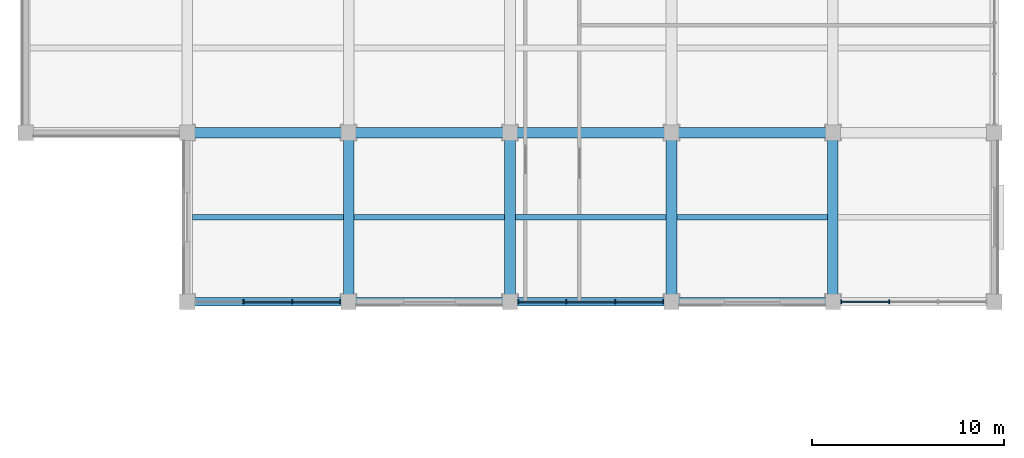
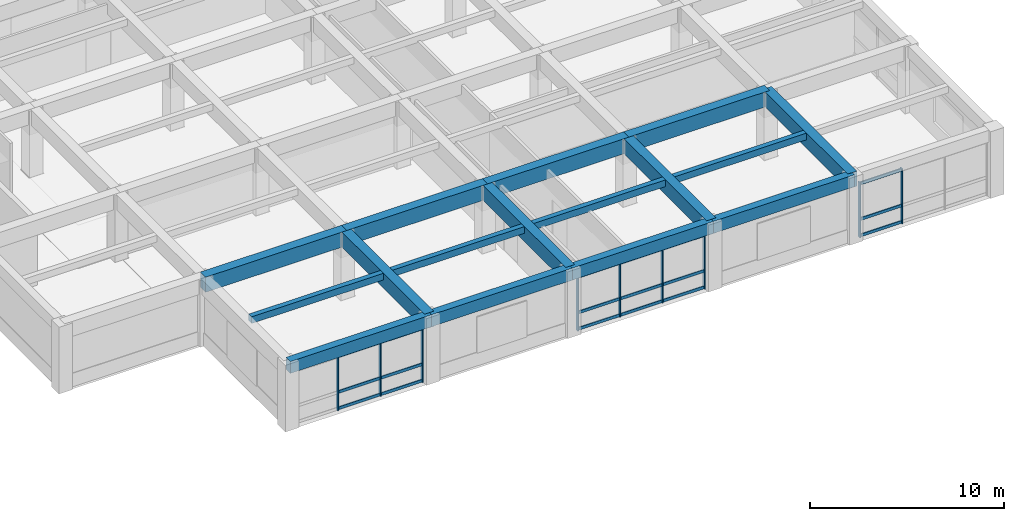
# One storey, part 19 of 46: 27 members, 16 beams, 3 elements without a shape of their own.
"""IFC4 building model written with IfcOpenShell, lengths in metres."""

from ifc_helpers import new_model, si_unit, direction, frame, origin, origin_2d, place, context, subcontext, project, spatial, rectangle, extrude, material, material_profile, profile_set, type_object, element, aggregate, save


model = new_model("IFC4")

# Units and contexts
model_context = context("Model", 3, precision=1e-05, world=origin(), true_north=direction((0.0, 1.0)))
body_context = subcontext(model_context, "Body", "Model", "MODEL_VIEW")
ifc_project = project(units=[si_unit("LENGTHUNIT", "METRE"), si_unit("AREAUNIT", "SQUARE_METRE"), si_unit("VOLUMEUNIT", "CUBIC_METRE"), si_unit("PLANEANGLEUNIT", "RADIAN"), si_unit("MASSUNIT", "GRAM", prefix="KILO")], contexts=[model_context])

# Site, building, storey
site_placement = place(None, origin())
site = spatial("IfcSite", under=ifc_project, at=site_placement, CompositionType="ELEMENT")
building_placement = place(site_placement, origin())
building = spatial("IfcBuilding", under=site, at=building_placement, Name="Kemercrest Conservatory and Botanical Centre", CompositionType="ELEMENT")
storey_placement = place(building_placement, frame((0.0, 0.0, 9.0)))
storey = spatial("IfcBuildingStorey", under=building, at=storey_placement, Name="L02", CompositionType="ELEMENT", Elevation=9.0)

# Beams
ifc_material_1 = material(Name="Concrete C50/60", Category="concrete")
ifc_material_profile_1 = material_profile(ifc_material_1, rectangle(XDim=0.550048828125, YDim=0.949951171875, at=origin_2d()), Name="RC 550x950")
ifc_profile_set_1 = profile_set([ifc_material_profile_1], Name="Concrete C50/60")
beam_type_1 = type_object("IfcBeamType", Name="BM-RC95", PredefinedType="BEAM", material=ifc_profile_set_1)
beam_1_placement = place(storey_placement, frame((134.0, 78.39990234375, 3.72509765625), z_axis=(1.0, 0.0, 0.0), x_axis=(0.0, 1.0, 0.0)))
element("IfcBeam", 1, at=beam_1_placement, inside=storey, type_object=beam_type_1, Name="V4-L03 beam BM-RC95 J/16-17", PredefinedType="BEAM", context=body_context, shape_type="SweptSolid", body=[
    extrude(rectangle(XDim=0.550048828125, YDim=0.949951171875, at=origin_2d()), origin(), (0.0, 0.0, 1.0), 8.39990234375),
])
beam_2_placement = place(storey_placement, frame((142.39990234375, 78.39990234375, 3.72509765625), z_axis=(1.0, 0.0, 0.0), x_axis=(0.0, 1.0, 0.0)))
element("IfcBeam", 2, at=beam_2_placement, inside=storey, type_object=beam_type_1, Name="V4-L03 beam BM-RC95 J/17-18", PredefinedType="BEAM", context=body_context, shape_type="SweptSolid", body=[
    extrude(rectangle(XDim=0.550048828125, YDim=0.949951171875, at=origin_2d()), origin(), (0.0, 0.0, 1.0), 8.400146484375),
])
beam_3_placement = place(storey_placement, frame((150.800048828125, 78.39990234375, 3.72509765625), z_axis=(1.0, 0.0, 0.0), x_axis=(0.0, 1.0, 0.0)))
element("IfcBeam", 3, at=beam_3_placement, inside=storey, type_object=beam_type_1, Name="V4-L03 beam BM-RC95 J/18-19", PredefinedType="BEAM", context=body_context, shape_type="SweptSolid", body=[
    extrude(rectangle(XDim=0.550048828125, YDim=0.949951171875, at=origin_2d()), origin(), (0.0, 0.0, 1.0), 8.39990234375),
])
beam_4_placement = place(storey_placement, frame((159.199951171875, 78.39990234375, 3.72509765625), z_axis=(1.0, 0.0, 0.0), x_axis=(0.0, 1.0, 0.0)))
element("IfcBeam", 4, at=beam_4_placement, inside=storey, type_object=beam_type_1, Name="V4-L03 beam BM-RC95 J/19-20", PredefinedType="BEAM", context=body_context, shape_type="SweptSolid", body=[
    extrude(rectangle(XDim=0.550048828125, YDim=0.949951171875, at=origin_2d()), origin(), (0.0, 0.0, 1.0), 8.400146484375),
])
for number, where, z_axis, x_axis, name in (
    (5, (142.39990234375, 69.60009765625, 3.72509765625), (0.0, 1.0, 0.0), (-1.0, 0.0, 0.0), "V4-L03 beam BM-RC95 17/H-J"),
    (6, (150.800048828125, 69.60009765625, 3.72509765625), (0.0, 1.0, 0.0), (-1.0, 0.0, 0.0), "V4-L03 beam BM-RC95 18/H-J"),
    (7, (159.199951171875, 69.60009765625, 3.72509765625), (0.0, 1.0, 0.0), (-1.0, 0.0, 0.0), "V4-L03 beam BM-RC95 19/H-J"),
    (8, (167.60009765625, 69.60009765625, 3.72509765625), (0.0, 1.0, 0.0), (-1.0, 0.0, 0.0), "V4-L03 beam BM-RC95 20/H-J"),
):
    element("IfcBeam", number, at=place(storey_placement, frame(where, z_axis=z_axis, x_axis=x_axis)), inside=storey, type_object=beam_type_1, Name=name, PredefinedType="BEAM", context=body_context, shape_type="SweptSolid", body=[
        extrude(rectangle(XDim=0.550048828125, YDim=0.949951171875, at=origin_2d()), origin(), (0.0, 0.0, 1.0), 8.7998046875),
    ])

# Curtain wall, members
ifc_material_2 = material(Name="Thermally broken aluminium and triple low-e glazing", Category="aluminium")
curtain_wall_type_1 = type_object("IfcCurtainWallType", Name="CW-26", PredefinedType="USERDEFINED", material=ifc_material_2)
curtain_wall_1_placement = place(storey_placement, origin())
curtain_wall_1 = element("IfcCurtainWall", 9, at=curtain_wall_1_placement, inside=storey, type_object=curtain_wall_type_1, Name="Unitised curtain wall CW-26 (CW:L02:V4-055)", ObjectType="UNITISED CURTAIN WALL", PredefinedType="USERDEFINED")
ifc_material_3 = material(Name="Thermally broken anodized aluminium 6063-T6", Category="aluminium")
ifc_material_profile_2 = material_profile(ifc_material_3, rectangle(XDim=0.199951171875, YDim=0.06494140625, at=origin_2d()), Name="AL MULLION 65x200")
ifc_profile_set_2 = profile_set([ifc_material_profile_2], Name="Thermally broken anodized aluminium 6063-T6")
member_type_1 = type_object("IfcMemberType", Name="CW-M200", PredefinedType="MULLION", material=ifc_profile_set_2)
member_1_placement = place(storey_placement, frame((136.931640625, 69.60009765625, 0.0), z_axis=(0.0, 0.0, 1.0), x_axis=(0.0, 1.0, 0.0)))
member_1 = element("IfcMember", 10, at=member_1_placement, type_object=member_type_1, Name="CW-26 mullion 2", PredefinedType="MULLION", context=body_context, shape_type="SweptSolid", body=[
    extrude(rectangle(XDim=0.199951171875, YDim=0.06494140625, at=origin_2d()), origin(), (0.0, 0.0, 1.0), 3.455078125),
])
member_2_placement = place(storey_placement, frame((139.46826171875, 69.60009765625, 0.0), z_axis=(0.0, 0.0, 1.0), x_axis=(0.0, 1.0, 0.0)))
member_2 = element("IfcMember", 11, at=member_2_placement, type_object=member_type_1, Name="CW-26 mullion 3", PredefinedType="MULLION", context=body_context, shape_type="SweptSolid", body=[
    extrude(rectangle(XDim=0.199951171875, YDim=0.06494140625, at=origin_2d()), origin(), (0.0, 0.0, 1.0), 3.455078125),
])
member_3_placement = place(storey_placement, frame((141.972412109375, 69.60009765625, 0.0), z_axis=(0.0, 0.0, 1.0), x_axis=(0.0, 1.0, 0.0)))
member_3 = element("IfcMember", 12, at=member_3_placement, type_object=member_type_1, Name="CW-26 mullion 4", PredefinedType="MULLION", context=body_context, shape_type="SweptSolid", body=[
    extrude(rectangle(XDim=0.199951171875, YDim=0.06494140625, at=origin_2d()), origin(), (0.0, 0.0, 1.0), 3.455078125),
])

curtain_wall_type_2 = type_object("IfcCurtainWallType", Name="CW-27", PredefinedType="USERDEFINED", material=ifc_material_2)
curtain_wall_2_placement = place(storey_placement, origin())
curtain_wall_2 = element("IfcCurtainWall", 13, at=curtain_wall_2_placement, inside=storey, type_object=curtain_wall_type_2, Name="Unitised curtain wall CW-27 (CW:L02:V4-056)", ObjectType="UNITISED CURTAIN WALL", PredefinedType="USERDEFINED")
member_4_placement = place(storey_placement, frame((151.2275390625, 69.60009765625, 0.0), z_axis=(0.0, 0.0, 1.0), x_axis=(0.0, 1.0, 0.0)))
member_4 = element("IfcMember", 14, at=member_4_placement, type_object=member_type_1, Name="CW-27 mullion 1", PredefinedType="MULLION", context=body_context, shape_type="SweptSolid", body=[
    extrude(rectangle(XDim=0.199951171875, YDim=0.06494140625, at=origin_2d()), origin(), (0.0, 0.0, 1.0), 3.455078125),
])
member_5_placement = place(storey_placement, frame((153.731689453125, 69.60009765625, 0.0), z_axis=(0.0, 0.0, 1.0), x_axis=(0.0, 1.0, 0.0)))
member_5 = element("IfcMember", 15, at=member_5_placement, type_object=member_type_1, Name="CW-27 mullion 2", PredefinedType="MULLION", context=body_context, shape_type="SweptSolid", body=[
    extrude(rectangle(XDim=0.199951171875, YDim=0.06494140625, at=origin_2d()), origin(), (0.0, 0.0, 1.0), 3.455078125),
])
member_6_placement = place(storey_placement, frame((156.268310546875, 69.60009765625, 0.0), z_axis=(0.0, 0.0, 1.0), x_axis=(0.0, 1.0, 0.0)))
member_6 = element("IfcMember", 16, at=member_6_placement, type_object=member_type_1, Name="CW-27 mullion 3", PredefinedType="MULLION", context=body_context, shape_type="SweptSolid", body=[
    extrude(rectangle(XDim=0.199951171875, YDim=0.06494140625, at=origin_2d()), origin(), (0.0, 0.0, 1.0), 3.455078125),
])
member_7_placement = place(storey_placement, frame((158.7724609375, 69.60009765625, 0.0), z_axis=(0.0, 0.0, 1.0), x_axis=(0.0, 1.0, 0.0)))
member_7 = element("IfcMember", 17, at=member_7_placement, type_object=member_type_1, Name="CW-27 mullion 4", PredefinedType="MULLION", context=body_context, shape_type="SweptSolid", body=[
    extrude(rectangle(XDim=0.199951171875, YDim=0.06494140625, at=origin_2d()), origin(), (0.0, 0.0, 1.0), 3.455078125),
])

curtain_wall_type_3 = type_object("IfcCurtainWallType", Name="CW-28", PredefinedType="USERDEFINED", material=ifc_material_2)
curtain_wall_3_placement = place(storey_placement, origin())
curtain_wall_3 = element("IfcCurtainWall", 18, at=curtain_wall_3_placement, inside=storey, type_object=curtain_wall_type_3, Name="Unitised curtain wall CW-28 (CW:L02:V4-057)", ObjectType="UNITISED CURTAIN WALL", PredefinedType="USERDEFINED")
member_8_placement = place(storey_placement, frame((168.027587890625, 69.60009765625, 0.0), z_axis=(0.0, 0.0, 1.0), x_axis=(0.0, 1.0, 0.0)))
member_8 = element("IfcMember", 19, at=member_8_placement, type_object=member_type_1, Name="CW-28 mullion 1", PredefinedType="MULLION", context=body_context, shape_type="SweptSolid", body=[
    extrude(rectangle(XDim=0.199951171875, YDim=0.06494140625, at=origin_2d()), origin(), (0.0, 0.0, 1.0), 3.455078125),
])
member_9_placement = place(storey_placement, frame((170.53173828125, 69.60009765625, 0.0), z_axis=(0.0, 0.0, 1.0), x_axis=(0.0, 1.0, 0.0)))
member_9 = element("IfcMember", 20, at=member_9_placement, type_object=member_type_1, Name="CW-28 mullion 2", PredefinedType="MULLION", context=body_context, shape_type="SweptSolid", body=[
    extrude(rectangle(XDim=0.199951171875, YDim=0.06494140625, at=origin_2d()), origin(), (0.0, 0.0, 1.0), 3.455078125),
])

# Member
ifc_material_profile_3 = material_profile(ifc_material_3, rectangle(XDim=0.074951171875, YDim=0.179931640625, at=origin_2d()), Name="AL TRANSOM 75x180")
ifc_profile_set_3 = profile_set([ifc_material_profile_3], Name="Thermally broken anodized aluminium 6063-T6")
member_type_2 = type_object("IfcMemberType", Name="CW-T180", PredefinedType="USERDEFINED", material=ifc_profile_set_3)
member_10_placement = place(storey_placement, frame((136.964111328125, 69.60009765625, 0.090087890625), z_axis=(1.0, 0.0, 0.0), x_axis=(0.0, 1.0, 0.0)))
member_10 = element("IfcMember", 21, at=member_10_placement, type_object=member_type_2, Name="CW-26 transom 2.1", ObjectType="TRANSOM", PredefinedType="USERDEFINED", context=body_context, shape_type="SweptSolid", body=[
    extrude(rectangle(XDim=0.074951171875, YDim=0.179931640625, at=origin_2d()), origin(), (0.0, 0.0, 1.0), 2.4716796875),
])

member_11_placement = place(storey_placement, frame((136.964111328125, 69.60009765625, 1.1201171875), z_axis=(1.0, 0.0, 0.0), x_axis=(0.0, 1.0, 0.0)))
member_11 = element("IfcMember", 22, at=member_11_placement, type_object=member_type_2, Name="CW-26 transom 2.2", ObjectType="TRANSOM", PredefinedType="USERDEFINED", context=body_context, shape_type="SweptSolid", body=[
    extrude(rectangle(XDim=0.074951171875, YDim=0.179931640625, at=origin_2d()), origin(), (0.0, 0.0, 1.0), 2.4716796875),
])

member_12_placement = place(storey_placement, frame((136.964111328125, 69.60009765625, 3.364990234375), z_axis=(1.0, 0.0, 0.0), x_axis=(0.0, 1.0, 0.0)))
member_12 = element("IfcMember", 23, at=member_12_placement, type_object=member_type_2, Name="CW-26 transom 2.3", ObjectType="TRANSOM", PredefinedType="USERDEFINED", context=body_context, shape_type="SweptSolid", body=[
    extrude(rectangle(XDim=0.074951171875, YDim=0.179931640625, at=origin_2d()), origin(), (0.0, 0.0, 1.0), 2.4716796875),
])

member_13_placement = place(storey_placement, frame((139.500732421875, 69.60009765625, 0.090087890625), z_axis=(1.0, 0.0, 0.0), x_axis=(0.0, 1.0, 0.0)))
member_13 = element("IfcMember", 24, at=member_13_placement, type_object=member_type_2, Name="CW-26 transom 3.1", ObjectType="TRANSOM", PredefinedType="USERDEFINED", context=body_context, shape_type="SweptSolid", body=[
    extrude(rectangle(XDim=0.074951171875, YDim=0.179931640625, at=origin_2d()), origin(), (0.0, 0.0, 1.0), 2.439208984375),
])

member_14_placement = place(storey_placement, frame((139.500732421875, 69.60009765625, 1.1201171875), z_axis=(1.0, 0.0, 0.0), x_axis=(0.0, 1.0, 0.0)))
member_14 = element("IfcMember", 25, at=member_14_placement, type_object=member_type_2, Name="CW-26 transom 3.2", ObjectType="TRANSOM", PredefinedType="USERDEFINED", context=body_context, shape_type="SweptSolid", body=[
    extrude(rectangle(XDim=0.074951171875, YDim=0.179931640625, at=origin_2d()), origin(), (0.0, 0.0, 1.0), 2.439208984375),
])

member_15_placement = place(storey_placement, frame((139.500732421875, 69.60009765625, 3.364990234375), z_axis=(1.0, 0.0, 0.0), x_axis=(0.0, 1.0, 0.0)))
member_15 = element("IfcMember", 26, at=member_15_placement, type_object=member_type_2, Name="CW-26 transom 3.3", ObjectType="TRANSOM", PredefinedType="USERDEFINED", context=body_context, shape_type="SweptSolid", body=[
    extrude(rectangle(XDim=0.074951171875, YDim=0.179931640625, at=origin_2d()), origin(), (0.0, 0.0, 1.0), 2.439208984375),
])

aggregate(curtain_wall_1, [member_1, member_2, member_3, member_10, member_11, member_12, member_13, member_14, member_15])

member_16_placement = place(storey_placement, frame((151.260009765625, 69.60009765625, 0.090087890625), z_axis=(1.0, 0.0, 0.0), x_axis=(0.0, 1.0, 0.0)))
member_16 = element("IfcMember", 27, at=member_16_placement, type_object=member_type_2, Name="CW-27 transom 1.1", ObjectType="TRANSOM", PredefinedType="USERDEFINED", context=body_context, shape_type="SweptSolid", body=[
    extrude(rectangle(XDim=0.074951171875, YDim=0.179931640625, at=origin_2d()), origin(), (0.0, 0.0, 1.0), 2.439208984375),
])

member_17_placement = place(storey_placement, frame((151.260009765625, 69.60009765625, 1.1201171875), z_axis=(1.0, 0.0, 0.0), x_axis=(0.0, 1.0, 0.0)))
member_17 = element("IfcMember", 28, at=member_17_placement, type_object=member_type_2, Name="CW-27 transom 1.2", ObjectType="TRANSOM", PredefinedType="USERDEFINED", context=body_context, shape_type="SweptSolid", body=[
    extrude(rectangle(XDim=0.074951171875, YDim=0.179931640625, at=origin_2d()), origin(), (0.0, 0.0, 1.0), 2.439208984375),
])

member_18_placement = place(storey_placement, frame((151.260009765625, 69.60009765625, 3.364990234375), z_axis=(1.0, 0.0, 0.0), x_axis=(0.0, 1.0, 0.0)))
member_18 = element("IfcMember", 29, at=member_18_placement, type_object=member_type_2, Name="CW-27 transom 1.3", ObjectType="TRANSOM", PredefinedType="USERDEFINED", context=body_context, shape_type="SweptSolid", body=[
    extrude(rectangle(XDim=0.074951171875, YDim=0.179931640625, at=origin_2d()), origin(), (0.0, 0.0, 1.0), 2.439208984375),
])

member_19_placement = place(storey_placement, frame((153.76416015625, 69.60009765625, 0.090087890625), z_axis=(1.0, 0.0, 0.0), x_axis=(0.0, 1.0, 0.0)))
member_19 = element("IfcMember", 30, at=member_19_placement, type_object=member_type_2, Name="CW-27 transom 2.1", ObjectType="TRANSOM", PredefinedType="USERDEFINED", context=body_context, shape_type="SweptSolid", body=[
    extrude(rectangle(XDim=0.074951171875, YDim=0.179931640625, at=origin_2d()), origin(), (0.0, 0.0, 1.0), 2.4716796875),
])

member_20_placement = place(storey_placement, frame((153.76416015625, 69.60009765625, 1.1201171875), z_axis=(1.0, 0.0, 0.0), x_axis=(0.0, 1.0, 0.0)))
member_20 = element("IfcMember", 31, at=member_20_placement, type_object=member_type_2, Name="CW-27 transom 2.2", ObjectType="TRANSOM", PredefinedType="USERDEFINED", context=body_context, shape_type="SweptSolid", body=[
    extrude(rectangle(XDim=0.074951171875, YDim=0.179931640625, at=origin_2d()), origin(), (0.0, 0.0, 1.0), 2.4716796875),
])

member_21_placement = place(storey_placement, frame((153.76416015625, 69.60009765625, 3.364990234375), z_axis=(1.0, 0.0, 0.0), x_axis=(0.0, 1.0, 0.0)))
member_21 = element("IfcMember", 32, at=member_21_placement, type_object=member_type_2, Name="CW-27 transom 2.3", ObjectType="TRANSOM", PredefinedType="USERDEFINED", context=body_context, shape_type="SweptSolid", body=[
    extrude(rectangle(XDim=0.074951171875, YDim=0.179931640625, at=origin_2d()), origin(), (0.0, 0.0, 1.0), 2.4716796875),
])

member_22_placement = place(storey_placement, frame((156.30078125, 69.60009765625, 0.090087890625), z_axis=(1.0, 0.0, 0.0), x_axis=(0.0, 1.0, 0.0)))
member_22 = element("IfcMember", 33, at=member_22_placement, type_object=member_type_2, Name="CW-27 transom 3.1", ObjectType="TRANSOM", PredefinedType="USERDEFINED", context=body_context, shape_type="SweptSolid", body=[
    extrude(rectangle(XDim=0.074951171875, YDim=0.179931640625, at=origin_2d()), origin(), (0.0, 0.0, 1.0), 2.439208984375),
])

member_23_placement = place(storey_placement, frame((156.30078125, 69.60009765625, 1.1201171875), z_axis=(1.0, 0.0, 0.0), x_axis=(0.0, 1.0, 0.0)))
member_23 = element("IfcMember", 34, at=member_23_placement, type_object=member_type_2, Name="CW-27 transom 3.2", ObjectType="TRANSOM", PredefinedType="USERDEFINED", context=body_context, shape_type="SweptSolid", body=[
    extrude(rectangle(XDim=0.074951171875, YDim=0.179931640625, at=origin_2d()), origin(), (0.0, 0.0, 1.0), 2.439208984375),
])

member_24_placement = place(storey_placement, frame((156.30078125, 69.60009765625, 3.364990234375), z_axis=(1.0, 0.0, 0.0), x_axis=(0.0, 1.0, 0.0)))
member_24 = element("IfcMember", 35, at=member_24_placement, type_object=member_type_2, Name="CW-27 transom 3.3", ObjectType="TRANSOM", PredefinedType="USERDEFINED", context=body_context, shape_type="SweptSolid", body=[
    extrude(rectangle(XDim=0.074951171875, YDim=0.179931640625, at=origin_2d()), origin(), (0.0, 0.0, 1.0), 2.439208984375),
])

aggregate(curtain_wall_2, [member_4, member_5, member_6, member_7, member_16, member_17, member_18, member_19, member_20, member_21, member_22, member_23, member_24])

member_25_placement = place(storey_placement, frame((168.06005859375, 69.60009765625, 0.090087890625), z_axis=(1.0, 0.0, 0.0), x_axis=(0.0, 1.0, 0.0)))
member_25 = element("IfcMember", 36, at=member_25_placement, type_object=member_type_2, Name="CW-28 transom 1.1", ObjectType="TRANSOM", PredefinedType="USERDEFINED", context=body_context, shape_type="SweptSolid", body=[
    extrude(rectangle(XDim=0.074951171875, YDim=0.179931640625, at=origin_2d()), origin(), (0.0, 0.0, 1.0), 2.439208984375),
])

member_26_placement = place(storey_placement, frame((168.06005859375, 69.60009765625, 1.1201171875), z_axis=(1.0, 0.0, 0.0), x_axis=(0.0, 1.0, 0.0)))
member_26 = element("IfcMember", 37, at=member_26_placement, type_object=member_type_2, Name="CW-28 transom 1.2", ObjectType="TRANSOM", PredefinedType="USERDEFINED", context=body_context, shape_type="SweptSolid", body=[
    extrude(rectangle(XDim=0.074951171875, YDim=0.179931640625, at=origin_2d()), origin(), (0.0, 0.0, 1.0), 2.439208984375),
])

member_27_placement = place(storey_placement, frame((168.06005859375, 69.60009765625, 3.364990234375), z_axis=(1.0, 0.0, 0.0), x_axis=(0.0, 1.0, 0.0)))
member_27 = element("IfcMember", 38, at=member_27_placement, type_object=member_type_2, Name="CW-28 transom 1.3", ObjectType="TRANSOM", PredefinedType="USERDEFINED", context=body_context, shape_type="SweptSolid", body=[
    extrude(rectangle(XDim=0.074951171875, YDim=0.179931640625, at=origin_2d()), origin(), (0.0, 0.0, 1.0), 2.439208984375),
])

aggregate(curtain_wall_3, [member_8, member_9, member_25, member_26, member_27])

# Beams
ifc_material_4 = material(Name="Concrete C40/50", Category="concrete")
ifc_material_profile_4 = material_profile(ifc_material_4, rectangle(XDim=0.300048828125, YDim=0.419921875, at=origin_2d()), Name="RC 300x420")
ifc_profile_set_4 = profile_set([ifc_material_profile_4], Name="Concrete C40/50")
beam_type_2 = type_object("IfcBeamType", Name="JS-RC42", PredefinedType="JOIST", material=ifc_profile_set_4)
beam_5_placement = place(storey_placement, frame((134.27490234375, 74.0, 3.989990234375), z_axis=(1.0, 0.0, 0.0), x_axis=(0.0, 1.0, 0.0)))
element("IfcBeam", 39, at=beam_5_placement, inside=storey, type_object=beam_type_2, Name="V4-L03 secondary joist JS-RC42", PredefinedType="JOIST", context=body_context, shape_type="SweptSolid", body=[
    extrude(rectangle(XDim=0.300048828125, YDim=0.419921875, at=origin_2d()), origin(), (0.0, 0.0, 1.0), 7.85009765625),
])
beam_6_placement = place(storey_placement, frame((142.675048828125, 74.0, 3.989990234375), z_axis=(1.0, 0.0, 0.0), x_axis=(0.0, 1.0, 0.0)))
element("IfcBeam", 40, at=beam_6_placement, inside=storey, type_object=beam_type_2, Name="V4-L03 secondary joist JS-RC42", PredefinedType="JOIST", context=body_context, shape_type="SweptSolid", body=[
    extrude(rectangle(XDim=0.300048828125, YDim=0.419921875, at=origin_2d()), origin(), (0.0, 0.0, 1.0), 7.849853515625),
])
beam_7_placement = place(storey_placement, frame((151.074951171875, 74.0, 3.989990234375), z_axis=(1.0, 0.0, 0.0), x_axis=(0.0, 1.0, 0.0)))
element("IfcBeam", 41, at=beam_7_placement, inside=storey, type_object=beam_type_2, Name="V4-L03 secondary joist JS-RC42", PredefinedType="JOIST", context=body_context, shape_type="SweptSolid", body=[
    extrude(rectangle(XDim=0.300048828125, YDim=0.419921875, at=origin_2d()), origin(), (0.0, 0.0, 1.0), 7.85009765625),
])
beam_8_placement = place(storey_placement, frame((159.47509765625, 74.0, 3.989990234375), z_axis=(1.0, 0.0, 0.0), x_axis=(0.0, 1.0, 0.0)))
element("IfcBeam", 42, at=beam_8_placement, inside=storey, type_object=beam_type_2, Name="V4-L03 secondary joist JS-RC42", PredefinedType="JOIST", context=body_context, shape_type="SweptSolid", body=[
    extrude(rectangle(XDim=0.300048828125, YDim=0.419921875, at=origin_2d()), origin(), (0.0, 0.0, 1.0), 7.849853515625),
])
ifc_material_profile_5 = material_profile(ifc_material_4, rectangle(XDim=0.449951171875, YDim=0.75, at=origin_2d()), Name="RC 450x750")
ifc_profile_set_5 = profile_set([ifc_material_profile_5], Name="Concrete C40/50")
beam_type_3 = type_object("IfcBeamType", Name="SP-RC75", PredefinedType="SPANDREL", material=ifc_profile_set_5)
beam_9_placement = place(storey_placement, frame((134.0, 69.60009765625, 3.824951171875), z_axis=(1.0, 0.0, 0.0), x_axis=(0.0, 1.0, 0.0)))
element("IfcBeam", 43, at=beam_9_placement, inside=storey, type_object=beam_type_3, Name="V4-L03 beam SP-RC75 H/16-17", PredefinedType="SPANDREL", context=body_context, shape_type="SweptSolid", body=[
    extrude(rectangle(XDim=0.449951171875, YDim=0.75, at=origin_2d()), origin(), (0.0, 0.0, 1.0), 8.39990234375),
])
beam_10_placement = place(storey_placement, frame((142.39990234375, 69.60009765625, 3.824951171875), z_axis=(1.0, 0.0, 0.0), x_axis=(0.0, 1.0, 0.0)))
element("IfcBeam", 44, at=beam_10_placement, inside=storey, type_object=beam_type_3, Name="V4-L03 beam SP-RC75 H/17-18", PredefinedType="SPANDREL", context=body_context, shape_type="SweptSolid", body=[
    extrude(rectangle(XDim=0.449951171875, YDim=0.75, at=origin_2d()), origin(), (0.0, 0.0, 1.0), 8.400146484375),
])
beam_11_placement = place(storey_placement, frame((150.800048828125, 69.60009765625, 3.824951171875), z_axis=(1.0, 0.0, 0.0), x_axis=(0.0, 1.0, 0.0)))
element("IfcBeam", 45, at=beam_11_placement, inside=storey, type_object=beam_type_3, Name="V4-L03 beam SP-RC75 H/18-19", PredefinedType="SPANDREL", context=body_context, shape_type="SweptSolid", body=[
    extrude(rectangle(XDim=0.449951171875, YDim=0.75, at=origin_2d()), origin(), (0.0, 0.0, 1.0), 8.39990234375),
])
beam_12_placement = place(storey_placement, frame((159.199951171875, 69.60009765625, 3.824951171875), z_axis=(1.0, 0.0, 0.0), x_axis=(0.0, 1.0, 0.0)))
element("IfcBeam", 46, at=beam_12_placement, inside=storey, type_object=beam_type_3, Name="V4-L03 beam SP-RC75 H/19-20", PredefinedType="SPANDREL", context=body_context, shape_type="SweptSolid", body=[
    extrude(rectangle(XDim=0.449951171875, YDim=0.75, at=origin_2d()), origin(), (0.0, 0.0, 1.0), 8.400146484375),
])

save(model, "model.ifc")
